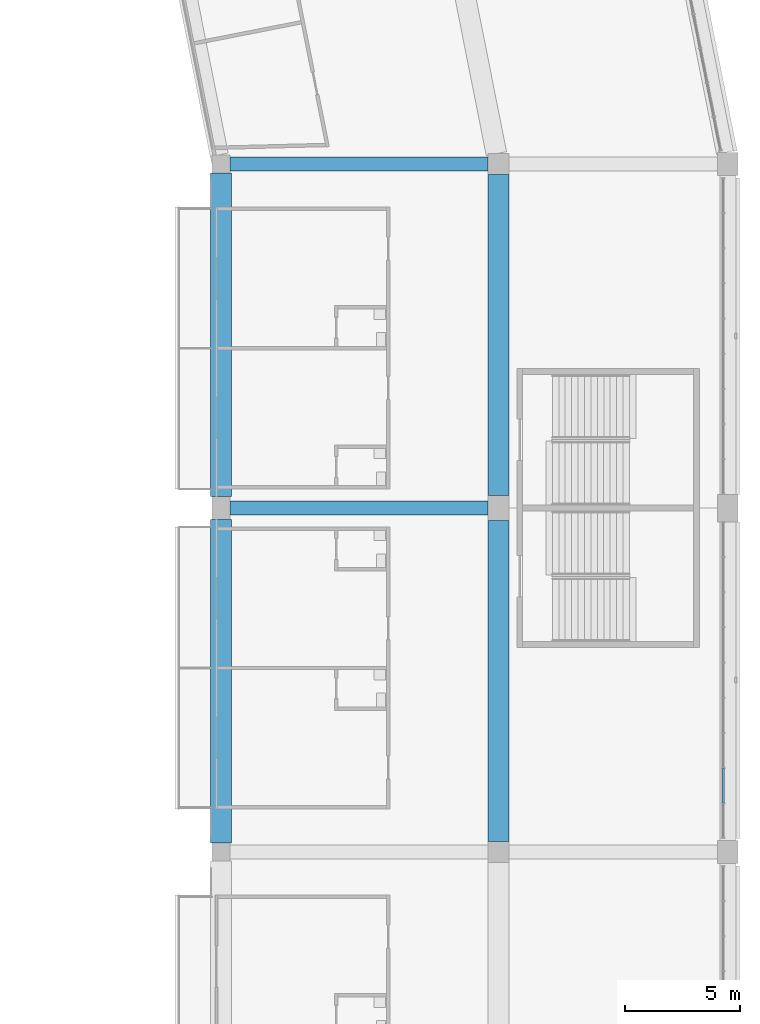
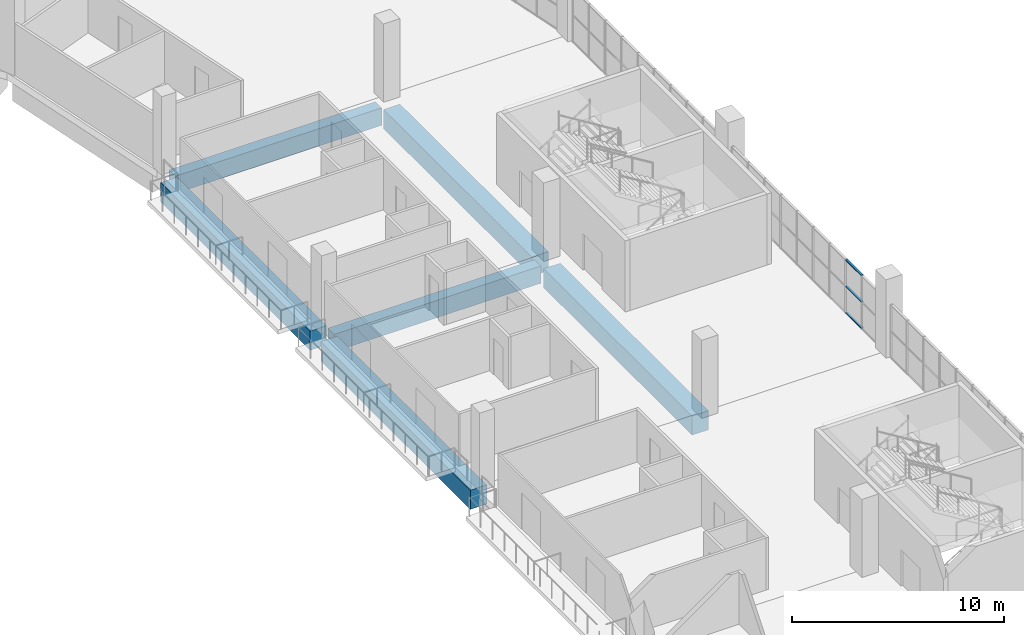
# One storey, part 47 of 199: 6 beams, 3 members, 1 element without a shape of its own.
"""IFC4 building model written with IfcOpenShell, lengths in metres."""

from ifc_helpers import new_model, si_unit, direction, frame, origin, origin_2d, place, context, subcontext, project, spatial, rectangle, extrude, material, material_profile, profile_set, type_object, element, aggregate, save


model = new_model("IFC4")

# Units and contexts
model_context = context("Model", 3, precision=1e-05, world=origin(), true_north=direction((0.0, 1.0)))
body_context = subcontext(model_context, "Body", "Model", "MODEL_VIEW")
ifc_project = project(units=[si_unit("LENGTHUNIT", "METRE"), si_unit("AREAUNIT", "SQUARE_METRE"), si_unit("VOLUMEUNIT", "CUBIC_METRE"), si_unit("PLANEANGLEUNIT", "RADIAN"), si_unit("MASSUNIT", "GRAM", prefix="KILO")], contexts=[model_context])

# Site, building, storey
site_placement = place(None, origin())
site = spatial("IfcSite", under=ifc_project, at=site_placement, CompositionType="ELEMENT")
building_placement = place(site_placement, origin())
building = spatial("IfcBuilding", under=site, at=building_placement, Name="Ogive Plaza Stadium", CompositionType="ELEMENT")
storey_placement = place(building_placement, frame((0.0, 0.0, 9.0)))
storey = spatial("IfcBuildingStorey", under=building, at=storey_placement, Name="L02", CompositionType="ELEMENT", Elevation=9.0)

# Curtain wall, members
ifc_material_1 = material(Name="Bronze-anodised aluminium with laminated glass", Category="aluminium")
curtain_wall_type = type_object("IfcCurtainWallType", Name="Lancet curtain wall", PredefinedType="NOTDEFINED", material=ifc_material_1)
curtain_wall_placement = place(storey_placement, origin())
curtain_wall = element("IfcCurtainWall", 1, at=curtain_wall_placement, inside=storey, type_object=curtain_wall_type, Name="CURTAIN WALL B02 L02", PredefinedType="NOTDEFINED")
ifc_material_2 = material(Name="Bronze-anodised aluminium", Category="aluminium")
ifc_material_profile_1 = material_profile(ifc_material_2, rectangle(XDim=0.1201171875, YDim=0.050048828125, at=origin_2d()), Name="AL 120x50")
ifc_profile_set_1 = profile_set([ifc_material_profile_1], Name="Bronze-anodised aluminium")
member_type = type_object("IfcMemberType", Name="Curtain wall transom 50x120", PredefinedType="USERDEFINED", material=ifc_profile_set_1)
member_1_placement = place(storey_placement, frame((83.800048828125, 26.1416015625, 0.02490234375), z_axis=(0.0, -1.0, 0.0), x_axis=(1.0, 0.0, 0.0)))
member_1 = element("IfcMember", 2, at=member_1_placement, type_object=member_type, Name="CW-B02-L02 transom 8.1", ObjectType="TRANSOM", PredefinedType="USERDEFINED", context=body_context, shape_type="SweptSolid", body=[
    extrude(rectangle(XDim=0.1201171875, YDim=0.050048828125, at=origin_2d()), origin(), (0.0, 0.0, 1.0), 1.483154296875),
])
member_2_placement = place(storey_placement, frame((83.800048828125, 26.1416015625, 1.544921875), z_axis=(0.0, -1.0, 0.0), x_axis=(1.0, 0.0, 0.0)))
member_2 = element("IfcMember", 3, at=member_2_placement, type_object=member_type, Name="CW-B02-L02 transom 8.2", ObjectType="TRANSOM", PredefinedType="USERDEFINED", context=body_context, shape_type="SweptSolid", body=[
    extrude(rectangle(XDim=0.1201171875, YDim=0.050048828125, at=origin_2d()), origin(), (0.0, 0.0, 1.0), 1.483154296875),
])
member_3_placement = place(storey_placement, frame((83.800048828125, 26.1416015625, 3.06494140625), z_axis=(0.0, -1.0, 0.0), x_axis=(1.0, 0.0, 0.0)))
member_3 = element("IfcMember", 4, at=member_3_placement, type_object=member_type, Name="CW-B02-L02 transom 8.3", ObjectType="TRANSOM", PredefinedType="USERDEFINED", context=body_context, shape_type="SweptSolid", body=[
    extrude(rectangle(XDim=0.1201171875, YDim=0.050048828125, at=origin_2d()), origin(), (0.0, 0.0, 1.0), 1.483154296875),
])
aggregate(curtain_wall, [member_1, member_2, member_3])

# Beams
ifc_material_3 = material(Name="Concrete C40/50", Category="concrete")
ifc_material_profile_2 = material_profile(ifc_material_3, rectangle(XDim=0.60009765625, YDim=1.0, at=origin_2d()), Name="RC 600x1000")
ifc_profile_set_2 = profile_set([ifc_material_profile_2], Name="Concrete C40/50")
beam_type_1 = type_object("IfcBeamType", Name="RC radial beam 600x1000", PredefinedType="BEAM", material=ifc_profile_set_2)
for number, where, z_axis, x_axis, name in (
    (5, (62.300048828125, 52.5, -0.909912109375), (1.0, 0.0, 0.0), (0.0, 1.0, 0.0), "Radial beam L02 R01 F3F4"),
    (6, (62.300048828125, 37.5, -0.909912109375), (1.0, 0.0, 0.0), (0.0, 1.0, 0.0), "Radial beam L02 R02 F3F4"),
):
    element("IfcBeam", number, at=place(storey_placement, frame(where, z_axis=z_axis, x_axis=x_axis)), inside=storey, type_object=beam_type_1, Name=name, PredefinedType="BEAM", context=body_context, shape_type="SweptSolid", body=[
        extrude(rectangle(XDim=0.60009765625, YDim=1.0, at=origin_2d()), origin(), (0.0, 0.0, 1.0), 11.25),
    ])
ifc_material_4 = material(Name="Concrete C40/50", Category="concrete")
ifc_material_profile_3 = material_profile(ifc_material_4, rectangle(XDim=0.89990234375, YDim=1.10009765625, at=origin_2d()), Name="RC 900x1100")
ifc_profile_set_3 = profile_set([ifc_material_profile_3], Name="Concrete C40/50")
beam_type_2 = type_object("IfcBeamType", Name="RC ring beam 900x1100", PredefinedType="BEAM", material=ifc_profile_set_3)
beam_1_placement = place(storey_placement, frame((74.0, 52.050048828125, -0.9599609375), z_axis=(0.0, -1.0, 0.0), x_axis=(1.0, 0.0, 0.0)))
element("IfcBeam", 7, at=beam_1_placement, inside=storey, type_object=beam_type_2, Name="Ring beam F4 L02 B01", PredefinedType="BEAM", context=body_context, shape_type="SweptSolid", body=[
    extrude(rectangle(XDim=0.89990234375, YDim=1.10009765625, at=origin_2d()), origin(), (0.0, 0.0, 1.0), 14.0),
])
beam_2_placement = place(storey_placement, frame((61.89990234375, 52.10009765625, -0.9599609375), z_axis=(0.0, -1.0, 0.0), x_axis=(1.0, 0.0, 0.0)))
element("IfcBeam", 8, at=beam_2_placement, inside=storey, type_object=beam_type_2, Name="Ring beam F3 L02 B01", PredefinedType="BEAM", context=body_context, shape_type="SweptSolid", body=[
    extrude(rectangle(XDim=0.89990234375, YDim=1.10009765625, at=origin_2d()), origin(), (0.0, 0.0, 1.0), 14.10009765625),
])
beam_3_placement = place(storey_placement, frame((74.0, 36.949951171875, -0.9599609375), z_axis=(0.0, -1.0, 0.0), x_axis=(1.0, 0.0, 0.0)))
element("IfcBeam", 9, at=beam_3_placement, inside=storey, type_object=beam_type_2, Name="Ring beam F4 L02 B02", PredefinedType="BEAM", context=body_context, shape_type="SweptSolid", body=[
    extrude(rectangle(XDim=0.89990234375, YDim=1.10009765625, at=origin_2d()), origin(), (0.0, 0.0, 1.0), 14.0),
])
beam_4_placement = place(storey_placement, frame((61.89990234375, 37.0, -0.9599609375), z_axis=(0.0, -1.0, 0.0), x_axis=(1.0, 0.0, 0.0)))
element("IfcBeam", 10, at=beam_4_placement, inside=storey, type_object=beam_type_2, Name="Ring beam F3 L02 B02", PredefinedType="BEAM", context=body_context, shape_type="SweptSolid", body=[
    extrude(rectangle(XDim=0.89990234375, YDim=1.10009765625, at=origin_2d()), origin(), (0.0, 0.0, 1.0), 14.10009765625),
])

save(model, "model.ifc")
